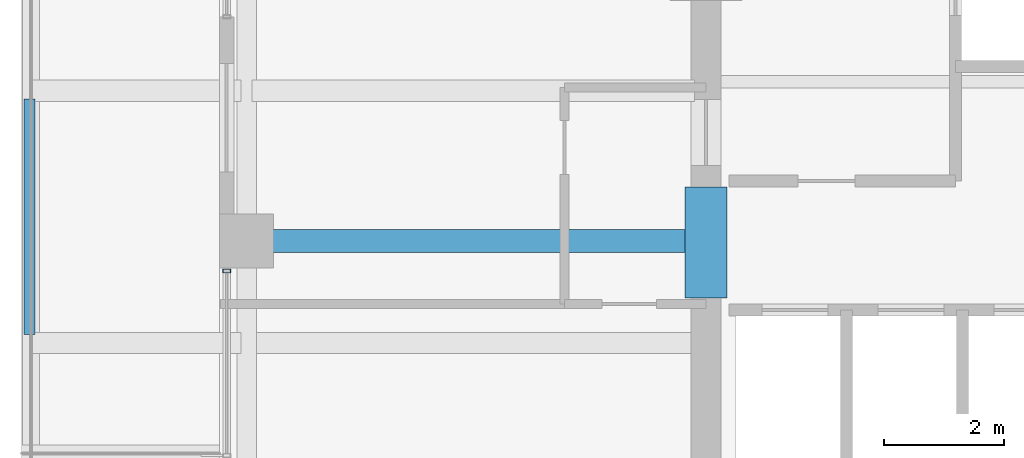
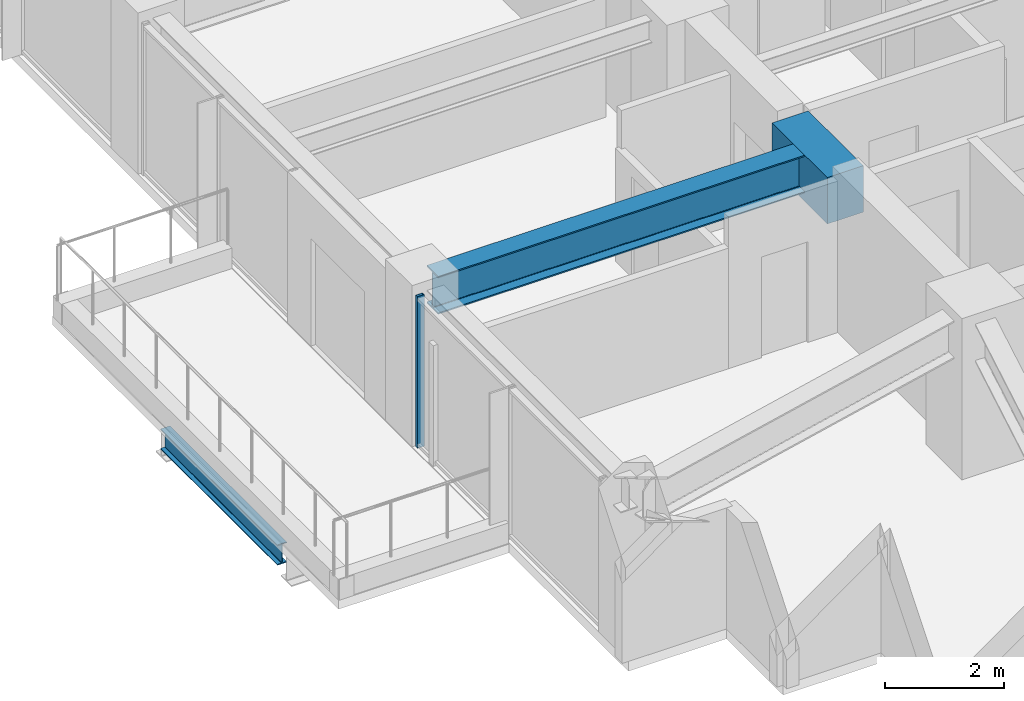
# One storey, part 5 of 32: 3 beams, 1 member, 1 element without a shape of its own.
"""IFC4 building model written with IfcOpenShell, lengths in metres."""

from ifc_helpers import new_model, si_unit, direction, frame, origin, origin_2d, place, context, subcontext, project, spatial, rectangle, hollow_rectangle, i_section, extrude, material, material_profile, profile_set, type_object, element, aggregate, save


model = new_model("IFC4")

# Units and contexts
model_context = context("Model", 3, precision=1e-05, world=origin(), true_north=direction((0.0, 1.0)))
body_context = subcontext(model_context, "Body", "Model", "MODEL_VIEW")
ifc_project = project(units=[si_unit("LENGTHUNIT", "METRE"), si_unit("AREAUNIT", "SQUARE_METRE"), si_unit("VOLUMEUNIT", "CUBIC_METRE"), si_unit("PLANEANGLEUNIT", "RADIAN"), si_unit("MASSUNIT", "GRAM", prefix="KILO")], contexts=[model_context])

# Site, building, storey
site_placement = place(None, origin())
site = spatial("IfcSite", under=ifc_project, at=site_placement, CompositionType="ELEMENT")
building_placement = place(site_placement, origin())
building = spatial("IfcBuilding", under=site, at=building_placement, Name="Kolvaren Belvedere", CompositionType="ELEMENT")
storey_placement = place(building_placement, frame((0.0, 0.0, 141.5)))
storey = spatial("IfcBuildingStorey", under=building, at=storey_placement, Name="L41", CompositionType="ELEMENT", Elevation=141.5)

# Beams
ifc_material_1 = material(Name="Structural steel ASTM A992 Grade 50", Category="steel")
ifc_material_profile_1 = material_profile(ifc_material_1, i_section(OverallWidth=0.180908203125, OverallDepth=0.4169921875, WebThickness=0.010986328125, FlangeThickness=0.018310546875, FilletRadius=0.013916015625, at=origin_2d()), Name="W16X57")
ifc_profile_set_1 = profile_set([ifc_material_profile_1], Name="Structural steel ASTM A992 Grade 50")
beam_type_1 = type_object("IfcBeamType", Name="BM-EDGE-W16X57", PredefinedType="BEAM", material=ifc_profile_set_1)
beam_1_placement = place(storey_placement, frame((-21.159912109375, -6.159912109375, -0.408447265625), z_axis=(0.0, 1.0, 0.0), x_axis=(-1.0, 0.0, 0.0)))
element("IfcBeam", 1, at=beam_1_placement, inside=storey, type_object=beam_type_1, Name="L41 Balcony Tip Header Beam SPIRAL-06-W", PredefinedType="BEAM", context=body_context, shape_type="SweptSolid", body=[
    extrude(i_section(OverallWidth=0.180908203125, OverallDepth=0.4169921875, WebThickness=0.010986328125, FlangeThickness=0.018310546875, FilletRadius=0.013916015625, at=origin_2d()), origin(), (0.0, 0.0, 1.0), 3.919921875),
])
ifc_material_2 = material(Name="Structural steel ASTM A992 Grade 50", Category="steel")
ifc_material_profile_2 = material_profile(ifc_material_2, i_section(OverallWidth=0.381103515625, OverallDepth=0.77294921875, WebThickness=0.0166015625, FlangeThickness=0.027099609375, FilletRadius=0.02392578125, at=origin_2d()), Name="W30X173")
ifc_profile_set_2 = profile_set([ifc_material_profile_2], Name="Structural steel ASTM A992 Grade 50")
beam_type_2 = type_object("IfcBeamType", Name="BM-GIRD-W30X173", PredefinedType="BEAM", material=ifc_profile_set_2)
beam_2_placement = place(storey_placement, frame((-10.14990234375, -4.60009765625, 2.71337890625), z_axis=(-1.0, 0.0, 0.0), x_axis=(0.0, -1.0, 0.0)))
element("IfcBeam", 2, at=beam_2_placement, inside=storey, type_object=beam_type_2, Name="L41 West Radial Girder M", PredefinedType="BEAM", context=body_context, shape_type="SweptSolid", body=[
    extrude(i_section(OverallWidth=0.381103515625, OverallDepth=0.77294921875, WebThickness=0.0166015625, FlangeThickness=0.027099609375, FilletRadius=0.02392578125, at=origin_2d()), origin(), (0.0, 0.0, 1.0), 7.197509765625),
])
ifc_material_3 = material(Name="Concrete C60/75", Category="concrete")
ifc_material_profile_3 = material_profile(ifc_material_3, rectangle(XDim=0.699951171875, YDim=0.949951171875, at=origin_2d()), Name="RC 700X950")
ifc_profile_set_3 = profile_set([ifc_material_profile_3], Name="Concrete C60/75")
beam_type_3 = type_object("IfcBeamType", Name="BM-LINT-950", PredefinedType="LINTEL", material=ifc_profile_set_3)
beam_3_placement = place(storey_placement, frame((-9.89990234375, -5.550048828125, 2.625), z_axis=(0.0, 1.0, 0.0), x_axis=(-1.0, 0.0, 0.0)))
element("IfcBeam", 3, at=beam_3_placement, inside=storey, type_object=beam_type_3, Name="L41 West Core Coupling Lintel", PredefinedType="LINTEL", context=body_context, shape_type="SweptSolid", body=[
    extrude(rectangle(XDim=0.699951171875, YDim=0.949951171875, at=origin_2d()), origin(), (0.0, 0.0, 1.0), 1.85009765625),
])

# Curtain wall, member
ifc_material_4 = material(Name="Anodised pale-metal aluminium AA 6063-T6", Category="aluminium")
curtain_wall_type = type_object("IfcCurtainWallType", Name="CW-Z3-WAIST", PredefinedType="NOTDEFINED", material=ifc_material_4)
curtain_wall_placement = place(storey_placement, origin())
curtain_wall = element("IfcCurtainWall", 4, at=curtain_wall_placement, inside=storey, type_object=curtain_wall_type, Name="L41 Unitised Curtain Wall FCW-L41-W1", PredefinedType="NOTDEFINED")
ifc_material_5 = material(Name="Anodised pale-metal aluminium AA 6063-T6", Category="aluminium")
ifc_material_profile_4 = material_profile(ifc_material_5, hollow_rectangle(XDim=0.06494140625, YDim=0.1298828125, WallThickness=0.00390625, at=origin_2d()), Name="ALU-MUL-130X65")
ifc_profile_set_4 = profile_set([ifc_material_profile_4], Name="Anodised pale-metal aluminium AA 6063-T6")
member_type = type_object("IfcMemberType", Name="CW-MUL-130", PredefinedType="MULLION", material=ifc_profile_set_4)
member_placement = place(storey_placement, frame((-17.8798828125, -5.1025390625, 0.0), z_axis=(0.0, 0.0, 1.0), x_axis=(0.0, 1.0, 0.0)))
member = element("IfcMember", 5, at=member_placement, type_object=member_type, Name="FCW-L41-W1 Unitised Mullion 3", PredefinedType="MULLION", context=body_context, shape_type="SweptSolid", body=[
    extrude(hollow_rectangle(XDim=0.06494140625, YDim=0.1298828125, WallThickness=0.00390625, at=origin_2d()), origin(), (0.0, 0.0, 1.0), 3.10009765625),
])
aggregate(curtain_wall, [member])

save(model, "model.ifc")
